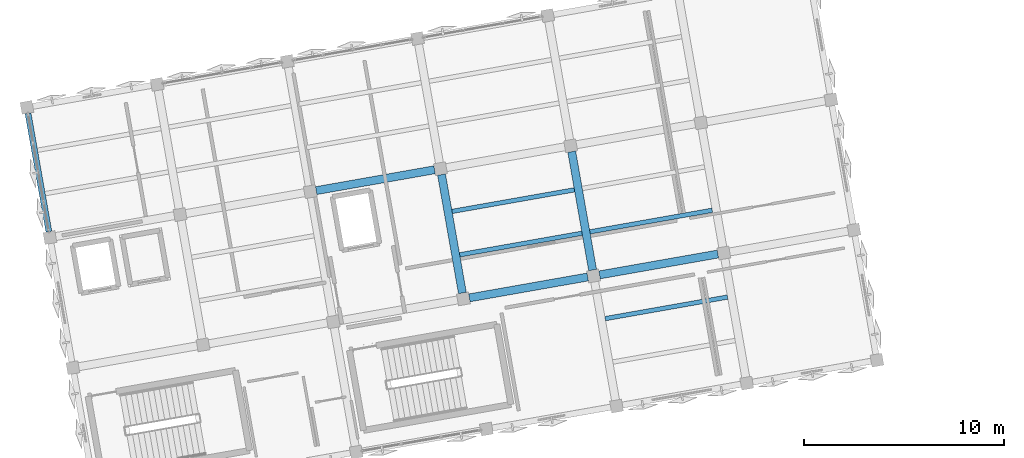
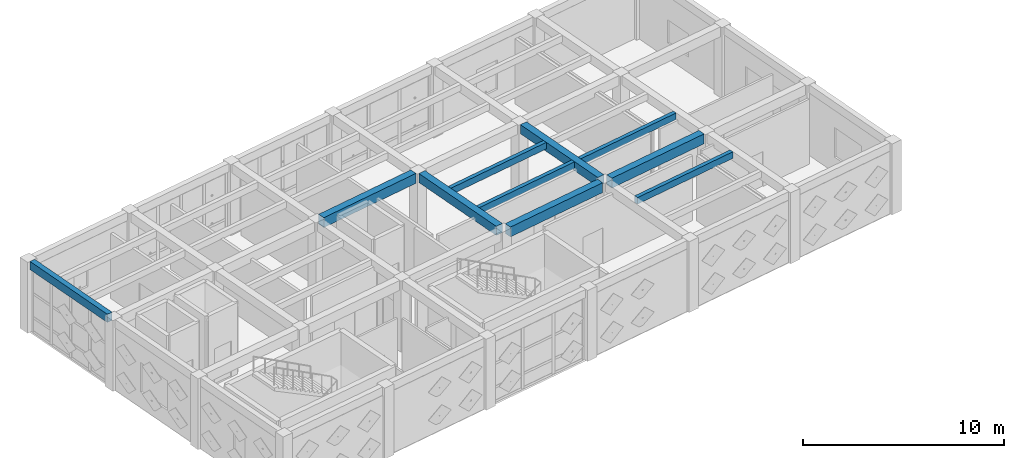
# One storey, part 5 of 29: 10 beams.
"""IFC4 building model written with IfcOpenShell, lengths in metres."""

from ifc_helpers import new_model, si_unit, direction, frame, origin, origin_2d, place, context, subcontext, project, spatial, rectangle, extrude, material, material_profile, profile_set, type_object, element, save


model = new_model("IFC4")

# Units and contexts
model_context = context("Model", 3, precision=1e-05, world=origin(), true_north=direction((0.0, 1.0)))
body_context = subcontext(model_context, "Body", "Model", "MODEL_VIEW")
ifc_project = project(units=[si_unit("LENGTHUNIT", "METRE"), si_unit("AREAUNIT", "SQUARE_METRE"), si_unit("VOLUMEUNIT", "CUBIC_METRE"), si_unit("PLANEANGLEUNIT", "RADIAN"), si_unit("MASSUNIT", "GRAM", prefix="KILO")], contexts=[model_context])

# Site, building, storey
site_placement = place(None, origin())
site = spatial("IfcSite", under=ifc_project, at=site_placement, CompositionType="ELEMENT")
building_placement = place(site_placement, origin())
building = spatial("IfcBuilding", under=site, at=building_placement, Name="Kharisveld Research Institute", CompositionType="ELEMENT")
storey_placement = place(building_placement, frame((0.0, 0.0, 32.10009765625)))
storey = spatial("IfcBuildingStorey", under=building, at=storey_placement, Name="L07", CompositionType="ELEMENT", Elevation=32.10009765625)

# Beams
ifc_material_1 = material(Name="Concrete C40/50", Category="concrete")
ifc_material_profile_1 = material_profile(ifc_material_1, rectangle(XDim=0.39990234375, YDim=0.550048828125, at=origin_2d()))
ifc_profile_set_1 = profile_set([ifc_material_profile_1], Name="Concrete C40/50")
beam_type_1 = type_object("IfcBeamType", Name="BM_RC_400x550", PredefinedType="BEAM", material=ifc_profile_set_1)
for number, where, z_axis, x_axis, name in (
    (1, (23.5009765625, 45.243408203125, 4.034912109375), (-0.173622845926, 0.984812219346, 0.0), (-0.984812219346, -0.173622845926, 0.0), "BM:V1:L07:V3_1"),
    (2, (30.000732421875, 46.389404296875, 4.034912109375), (-0.173622845926, 0.984812219346, 0.0), (-0.984812219346, -0.173622845926, 0.0), "BM:V1:L07:V4_1"),
):
    element("IfcBeam", number, at=place(storey_placement, frame(where, z_axis=z_axis, x_axis=x_axis)), inside=storey, type_object=beam_type_1, Name=name, PredefinedType="BEAM", context=body_context, shape_type="SweptSolid", body=[
        extrude(rectangle(XDim=0.39990234375, YDim=0.550048828125, at=origin_2d()), origin(), (0.0, 0.0, 1.0), 6.0),
    ])
ifc_material_2 = material(Name="Concrete C40/50", Category="concrete")
ifc_material_profile_2 = material_profile(ifc_material_2, rectangle(XDim=0.39990234375, YDim=0.60009765625, at=origin_2d()))
ifc_profile_set_2 = profile_set([ifc_material_profile_2], Name="Concrete C40/50")
beam_type_2 = type_object("IfcBeamType", Name="BM_RC_400x600", PredefinedType="BEAM", material=ifc_profile_set_2)
for number, where, z_axis, x_axis, name in (
    (3, (23.8486328125, 45.0, 4.010009765625), (0.984804034035, 0.173669267716, 0.0), (-0.173669267716, 0.984804034035, 0.0), "BM:V1:L07:U3_1"),
    (4, (30.348388671875, 46.146240234375, 4.010009765625), (0.984810992686, 0.173629803561, 0.0), (-0.173629803561, 0.984810992686, 0.0), "BM:V1:L07:U4_1"),
):
    element("IfcBeam", number, at=place(storey_placement, frame(where, z_axis=z_axis, x_axis=x_axis)), inside=storey, type_object=beam_type_2, Name=name, PredefinedType="BEAM", context=body_context, shape_type="SweptSolid", body=[
        extrude(rectangle(XDim=0.39990234375, YDim=0.60009765625, at=origin_2d()), origin(), (0.0, 0.0, 1.0), 5.999755859375),
    ])
beam_1_placement = place(storey_placement, frame((16.20263671875, 50.353759765625, 4.010009765625), z_axis=(0.984812219346, 0.173622845926, 0.0), x_axis=(-0.173622845926, 0.984812219346, 0.0)))
element("IfcBeam", 5, at=beam_1_placement, inside=storey, type_object=beam_type_2, Name="BM:V1:L07:U2_2", PredefinedType="BEAM", context=body_context, shape_type="SweptSolid", body=[
    extrude(rectangle(XDim=0.39990234375, YDim=0.60009765625, at=origin_2d()), origin(), (0.0, 0.0, 1.0), 6.0),
])
ifc_material_3 = material(Name="Concrete C40/50", Category="concrete")
ifc_material_profile_3 = material_profile(ifc_material_3, rectangle(XDim=0.300048828125, YDim=0.5, at=origin_2d()))
ifc_profile_set_3 = profile_set([ifc_material_profile_3], Name="Concrete C40/50")
beam_type_3 = type_object("IfcBeamType", Name="SP_RC_300x500", PredefinedType="SPANDREL", material=ifc_profile_set_3)
beam_2_placement = place(storey_placement, frame((2.855712890625, 48.304931640625, 4.059814453125), z_axis=(-0.173622845926, 0.984812219346, 0.0), x_axis=(-0.984812219346, -0.173622845926, 0.0)))
element("IfcBeam", 6, at=beam_2_placement, inside=storey, type_object=beam_type_3, Name="BM:V1:L07:V0_2", PredefinedType="SPANDREL", context=body_context, shape_type="SweptSolid", body=[
    extrude(rectangle(XDim=0.300048828125, YDim=0.5, at=origin_2d()), origin(), (0.0, 0.0, 1.0), 6.0),
])
ifc_material_4 = material(Name="Concrete C40/50", Category="concrete")
ifc_material_profile_4 = material_profile(ifc_material_4, rectangle(XDim=0.219970703125, YDim=0.39990234375, at=origin_2d()))
ifc_profile_set_4 = profile_set([ifc_material_profile_4], Name="Concrete C40/50")
beam_type_4 = type_object("IfcBeamType", Name="WB_RC_220x400", PredefinedType="JOIST", material=ifc_profile_set_4)
for number, where, z_axis, x_axis, name in (
    (7, (23.3681640625, 47.149169921875, 4.10986328125), (0.984806146634, 0.173657287643, 0.0), (-0.173657287643, 0.984806146634, 0.0), "BM:V1:L07:J_3_1_R1"),
    (8, (22.986083984375, 49.31591796875, 4.10986328125), (0.984806146634, 0.173657287643, 0.0), (-0.173657287643, 0.984806146634, 0.0), "BM:V1:L07:J_3_1_R2"),
    (9, (30.6318359375, 43.962158203125, 4.10986328125), (0.984806146634, 0.173657287643, 0.0), (-0.173657287643, 0.984806146634, 0.0), "BM:V1:L07:J_4_0_R2"),
):
    element("IfcBeam", number, at=place(storey_placement, frame(where, z_axis=z_axis, x_axis=x_axis)), inside=storey, type_object=beam_type_4, Name=name, PredefinedType="JOIST", context=body_context, shape_type="SweptSolid", body=[
        extrude(rectangle(XDim=0.219970703125, YDim=0.39990234375, at=origin_2d()), origin(), (0.0, 0.0, 1.0), 6.199951171875),
    ])
beam_3_placement = place(storey_placement, frame((29.86767578125, 48.29541015625, 4.10986328125), z_axis=(0.984807334084, 0.173650553511, 0.0), x_axis=(-0.173650553511, 0.984807334084, 0.0)))
element("IfcBeam", 10, at=beam_3_placement, inside=storey, type_object=beam_type_4, Name="BM:V1:L07:J_4_1_R1", PredefinedType="JOIST", context=body_context, shape_type="SweptSolid", body=[
    extrude(rectangle(XDim=0.219970703125, YDim=0.39990234375, at=origin_2d()), origin(), (0.0, 0.0, 1.0), 6.2001953125),
])

save(model, "model.ifc")
